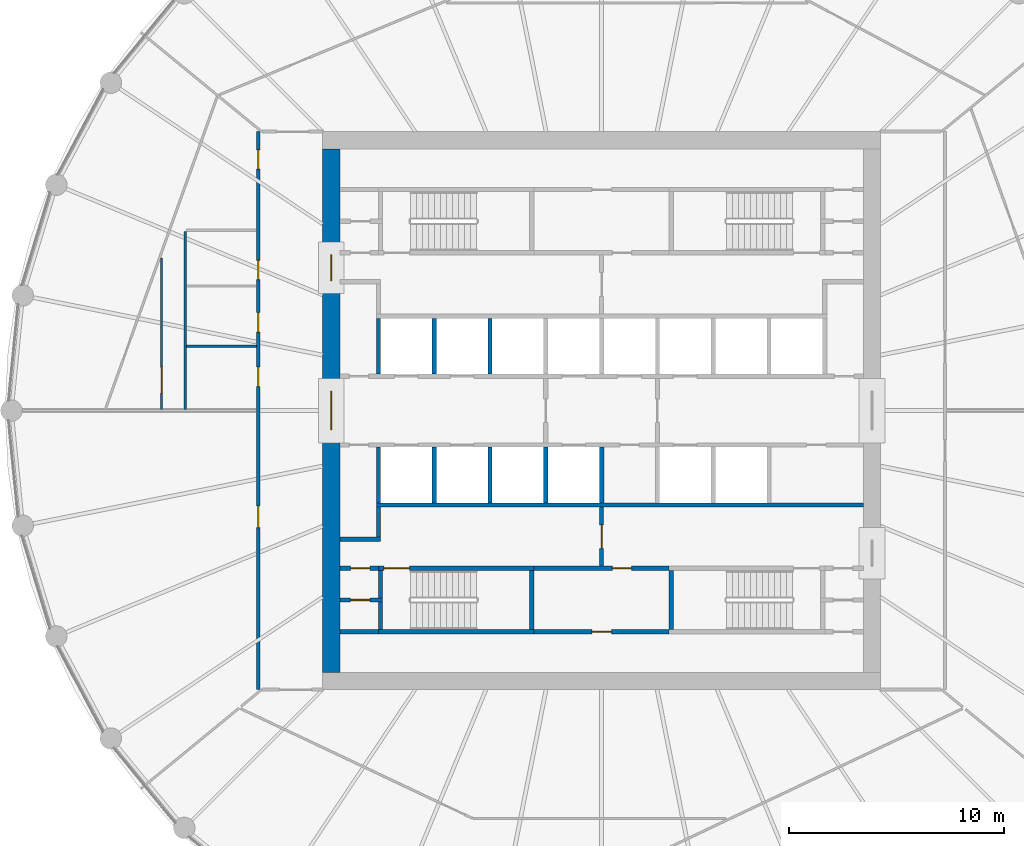
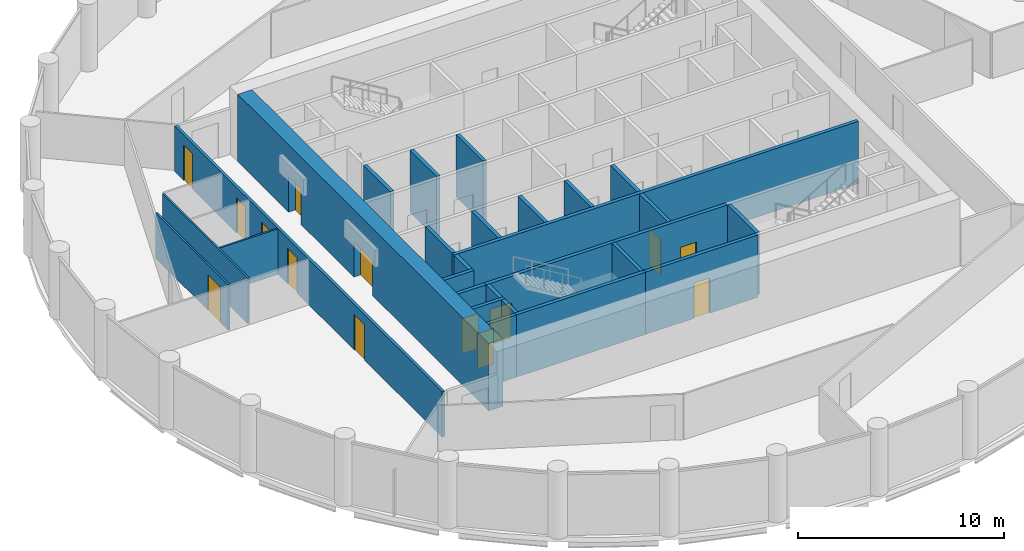
# One storey, part 4 of 8: 28 walls, 14 doors, 14 openings.
"""IFC4 building model written with IfcOpenShell, lengths in metres."""

from ifc_helpers import new_model, si_unit, direction, frame, frame_2d, origin, place, context, subcontext, project, spatial, polyline, rectangle, outline, extrude, material, layer, layer_set, type_object, element, fill, save


model = new_model("IFC4")

# Units and contexts
model_context = context("Model", 3, precision=1e-05, world=origin(), true_north=direction((0.0, 1.0)))
body_context = subcontext(model_context, "Body", "Model", "MODEL_VIEW")
ifc_project = project(units=[si_unit("LENGTHUNIT", "METRE"), si_unit("AREAUNIT", "SQUARE_METRE"), si_unit("VOLUMEUNIT", "CUBIC_METRE"), si_unit("PLANEANGLEUNIT", "RADIAN"), si_unit("MASSUNIT", "GRAM", prefix="KILO")], contexts=[model_context])

# Site, building, storey
site_placement = place(None, origin())
site = spatial("IfcSite", under=ifc_project, at=site_placement, CompositionType="ELEMENT")
building_placement = place(site_placement, origin())
building = spatial("IfcBuilding", under=site, at=building_placement, Name="Corvane Civic Tower", CompositionType="ELEMENT")
storey_placement = place(building_placement, frame((0.0, 0.0, 241.5)))
storey = spatial("IfcBuildingStorey", under=building, at=storey_placement, Name="L57", CompositionType="ELEMENT", Elevation=241.5)

# Wall, openings, doors
ifc_material_1 = material(Name="Concrete C50/60", Category="concrete")
ifc_layer_1 = layer(ifc_material_1, 0.800048828125)
ifc_layer_set_1 = layer_set([ifc_layer_1], Name="Concrete C50/60")
wall_type_1 = type_object("IfcWallType", Name="CORE WALL 800 C50/60", PredefinedType="SHEAR", material=ifc_layer_set_1)
wall_1_placement = place(storey_placement, frame((-12.60009765625, -12.199951171875, 0.0), z_axis=(0.0, 0.0, 1.0), x_axis=(0.0, 1.0, 0.0)))
wall_1 = element("IfcWall", 1, at=wall_1_placement, inside=storey, type_object=wall_type_1, Name="W-L57-core-W", PredefinedType="SHEAR", context=body_context, shape_type="SweptSolid", body=[
    extrude(rectangle(XDim=24.39990234375, YDim=0.800048828125, at=frame_2d((12.199951171875, 0.0))), origin(), (0.0, 0.0, 1.0), 4.0),
])
opening_1_placement = place(wall_1_placement, frame((11.300048828125, 0.0, 0.0)))
opening_1 = element("IfcOpeningElement", 2, at=opening_1_placement, cuts=wall_1, Name="Opening L57.C28", PredefinedType="OPENING", context=body_context, shape_type="SweptSolid", body=[
    extrude(rectangle(XDim=1.800048828125, YDim=2.10009765625, at=frame_2d((0.89990234375, 1.050048828125))), frame((0.0, 0.409912109375, 0.0), z_axis=(0.0, -1.0, 0.0), x_axis=(1.0, 0.0, 0.0)), (0.0, 0.0, 1.0), 0.820068359375),
])
opening_2_placement = place(wall_1_placement, frame((18.25, 0.0, 0.0)))
opening_2 = element("IfcOpeningElement", 3, at=opening_2_placement, cuts=wall_1, Name="Opening L57.C30", PredefinedType="OPENING", context=body_context, shape_type="SweptSolid", body=[
    extrude(rectangle(XDim=1.199951171875, YDim=2.10009765625, at=frame_2d((0.60009765625, 1.050048828125))), frame((0.0, 0.409912109375, 0.0), z_axis=(0.0, -1.0, 0.0), x_axis=(1.0, 0.0, 0.0)), (0.0, 0.0, 1.0), 0.820068359375),
])
ifc_material_2 = material(Name="Steel fire door leaf", Category="steel")
door_type_1 = type_object("IfcDoorType", Name="CR-DOOR-CORE-1800", OperationType="DOUBLE_DOOR_SINGLE_SWING", PredefinedType="DOOR", material=ifc_material_2)
door_1_placement = place(opening_1_placement, origin())
door_1 = element("IfcDoor", 4, at=door_1_placement, inside=storey, type_object=door_type_1, Name="L57 door", OperationType="DOUBLE_DOOR_SINGLE_SWING", OverallHeight=2.10009765625, OverallWidth=1.800048828125, PredefinedType="DOOR", context=body_context, shape_type="SweptSolid", body=[
    extrude(rectangle(XDim=1.800048828125, YDim=2.10009765625, at=frame_2d((0.89990234375, 1.050048828125))), frame((0.0, 0.02490234375, 0.0), z_axis=(0.0, -1.0, 0.0), x_axis=(1.0, 0.0, 0.0)), (0.0, 0.0, 1.0), 0.050048828125),
])
fill(opening_1, door_1)
door_2_placement = place(opening_2_placement, origin())
door_2 = element("IfcDoor", 5, at=door_2_placement, inside=storey, type_object=door_type_1, Name="L57 door", OperationType="DOUBLE_DOOR_SINGLE_SWING", OverallHeight=2.10009765625, OverallWidth=1.199951171875, PredefinedType="DOOR", context=body_context, shape_type="SweptSolid", body=[
    extrude(rectangle(XDim=1.199951171875, YDim=2.10009765625, at=frame_2d((0.60009765625, 1.050048828125))), frame((0.0, 0.02490234375, 0.0), z_axis=(0.0, -1.0, 0.0), x_axis=(1.0, 0.0, 0.0)), (0.0, 0.0, 1.0), 0.050048828125),
])
fill(opening_2, door_2)

# Wall, opening, door
ifc_material_3 = material(Name="Concrete C30/37", Category="concrete")
ifc_layer_2 = layer(ifc_material_3, 0.199951171875)
ifc_layer_set_2 = layer_set([ifc_layer_2], Name="Concrete C30/37")
wall_type_2 = type_object("IfcWallType", Name="CR-WALL-200", PredefinedType="PARTITIONING", material=ifc_layer_set_2)
wall_2_placement = place(storey_placement, frame((-3.14990234375, -10.300048828125, 0.0), z_axis=(0.0, 0.0, 1.0), x_axis=(1.0, 0.0, 0.0)))
wall_2 = element("IfcWall", 6, at=wall_2_placement, inside=storey, type_object=wall_type_2, Name="L57 partition wall", PredefinedType="PARTITIONING", context=body_context, shape_type="SweptSolid", body=[
    extrude(rectangle(XDim=6.2998046875, YDim=0.199951171875, at=frame_2d((3.14990234375, 0.0))), origin(), (0.0, 0.0, 1.0), 3.699951171875),
])
opening_3_placement = place(wall_2_placement, frame((2.699951171875, 0.0, 0.0)))
opening_3 = element("IfcOpeningElement", 7, at=opening_3_placement, cuts=wall_2, Name="Opening L57.C09", PredefinedType="OPENING", context=body_context, shape_type="SweptSolid", body=[
    extrude(rectangle(XDim=0.89990234375, YDim=2.10009765625, at=frame_2d((0.449951171875, 1.050048828125))), frame((0.0, 0.10986328125, 0.0), z_axis=(0.0, -1.0, 0.0), x_axis=(1.0, 0.0, 0.0)), (0.0, 0.0, 1.0), 0.219970703125),
])
ifc_material_4 = material(Name="Steel fire door leaf", Category="steel")
door_type_2 = type_object("IfcDoorType", Name="CR-DOOR-900", OperationType="SINGLE_SWING_LEFT", PredefinedType="DOOR", material=ifc_material_4)
door_3_placement = place(opening_3_placement, origin())
door_3 = element("IfcDoor", 8, at=door_3_placement, inside=storey, type_object=door_type_2, Name="L57 door", OperationType="SINGLE_SWING_LEFT", OverallHeight=2.10009765625, OverallWidth=0.89990234375, PredefinedType="DOOR", context=body_context, shape_type="SweptSolid", body=[
    extrude(rectangle(XDim=0.89990234375, YDim=2.10009765625, at=frame_2d((0.449951171875, 1.050048828125))), frame((0.0, 0.02490234375, 0.0), z_axis=(0.0, -1.0, 0.0), x_axis=(1.0, 0.0, 0.0)), (0.0, 0.0, 1.0), 0.050048828125),
])
fill(opening_3, door_3)

wall_3_placement = place(storey_placement, frame((-12.199951171875, -8.824951171875, 0.0), z_axis=(0.0, 0.0, 1.0), x_axis=(1.0, 0.0, 0.0)))
wall_3 = element("IfcWall", 9, at=wall_3_placement, inside=storey, type_object=wall_type_2, Name="L57 partition wall", PredefinedType="PARTITIONING", context=body_context, shape_type="SweptSolid", body=[
    extrude(rectangle(XDim=2.0, YDim=0.199951171875, at=frame_2d((1.0, 0.0))), origin(), (0.0, 0.0, 1.0), 3.699951171875),
])
opening_4_placement = place(wall_3_placement, frame((0.5, 0.0, 0.0)))
opening_4 = element("IfcOpeningElement", 10, at=opening_4_placement, cuts=wall_3, Name="Opening L57.C13", PredefinedType="OPENING", context=body_context, shape_type="SweptSolid", body=[
    extrude(rectangle(XDim=0.89990234375, YDim=2.10009765625, at=frame_2d((0.449951171875, 1.050048828125))), frame((0.0, 0.10986328125, 0.0), z_axis=(0.0, -1.0, 0.0), x_axis=(1.0, 0.0, 0.0)), (0.0, 0.0, 1.0), 0.219970703125),
])
door_4_placement = place(opening_4_placement, origin())
door_4 = element("IfcDoor", 11, at=door_4_placement, inside=storey, type_object=door_type_2, Name="L57 door", OperationType="SINGLE_SWING_LEFT", OverallHeight=2.10009765625, OverallWidth=0.89990234375, PredefinedType="DOOR", context=body_context, shape_type="SweptSolid", body=[
    extrude(rectangle(XDim=0.89990234375, YDim=2.10009765625, at=frame_2d((0.449951171875, 1.050048828125))), frame((0.0, 0.02490234375, 0.0), z_axis=(0.0, -1.0, 0.0), x_axis=(1.0, 0.0, 0.0)), (0.0, 0.0, 1.0), 0.050048828125),
])
fill(opening_4, door_4)

wall_4_placement = place(storey_placement, frame((-12.199951171875, -7.35009765625, 0.0), z_axis=(0.0, 0.0, 1.0), x_axis=(1.0, 0.0, 0.0)))
wall_4 = element("IfcWall", 12, at=wall_4_placement, inside=storey, type_object=wall_type_2, Name="L57 core partition wall", PredefinedType="PARTITIONING", context=body_context, shape_type="SweptSolid", body=[
    extrude(rectangle(XDim=1.800048828125, YDim=0.199951171875, at=frame_2d((0.89990234375, 0.0))), origin(), (0.0, 0.0, 1.0), 3.699951171875),
])
opening_5_placement = place(wall_4_placement, frame((0.5, 0.0, 0.0)))
opening_5 = element("IfcOpeningElement", 13, at=opening_5_placement, cuts=wall_4, Name="Opening L57.C12", PredefinedType="OPENING", context=body_context, shape_type="SweptSolid", body=[
    extrude(rectangle(XDim=0.89990234375, YDim=2.10009765625, at=frame_2d((0.449951171875, 1.050048828125))), frame((0.0, 0.10986328125, 0.0), z_axis=(0.0, -1.0, 0.0), x_axis=(1.0, 0.0, 0.0)), (0.0, 0.0, 1.0), 0.219970703125),
])
door_5_placement = place(opening_5_placement, origin())
door_5 = element("IfcDoor", 14, at=door_5_placement, inside=storey, type_object=door_type_2, Name="L57 door", OperationType="SINGLE_SWING_LEFT", OverallHeight=2.10009765625, OverallWidth=0.89990234375, PredefinedType="DOOR", context=body_context, shape_type="SweptSolid", body=[
    extrude(rectangle(XDim=0.89990234375, YDim=2.10009765625, at=frame_2d((0.449951171875, 1.050048828125))), frame((0.0, 0.02490234375, 0.0), z_axis=(0.0, -1.0, 0.0), x_axis=(1.0, 0.0, 0.0)), (0.0, 0.0, 1.0), 0.050048828125),
])
fill(opening_5, door_5)

wall_5_placement = place(storey_placement, frame((-3.14990234375, -7.35009765625, 0.0), z_axis=(0.0, 0.0, 1.0), x_axis=(1.0, 0.0, 0.0)))
wall_5 = element("IfcWall", 15, at=wall_5_placement, inside=storey, type_object=wall_type_2, Name="L57 partition wall", PredefinedType="PARTITIONING", context=body_context, shape_type="SweptSolid", body=[
    extrude(rectangle(XDim=6.2998046875, YDim=0.199951171875, at=frame_2d((3.14990234375, 0.0))), origin(), (0.0, 0.0, 1.0), 3.699951171875),
])
opening_6_placement = place(wall_5_placement, frame((3.64990234375, 0.0, 0.0)))
opening_6 = element("IfcOpeningElement", 16, at=opening_6_placement, cuts=wall_5, Name="Opening L57.C07", PredefinedType="OPENING", context=body_context, shape_type="SweptSolid", body=[
    extrude(rectangle(XDim=0.89990234375, YDim=2.10009765625, at=frame_2d((0.449951171875, 1.050048828125))), frame((0.0, 0.10986328125, 0.0), z_axis=(0.0, -1.0, 0.0), x_axis=(1.0, 0.0, 0.0)), (0.0, 0.0, 1.0), 0.219970703125),
])
door_6_placement = place(opening_6_placement, origin())
door_6 = element("IfcDoor", 17, at=door_6_placement, inside=storey, type_object=door_type_2, Name="L57 door", OperationType="SINGLE_SWING_LEFT", OverallHeight=2.10009765625, OverallWidth=0.89990234375, PredefinedType="DOOR", context=body_context, shape_type="SweptSolid", body=[
    extrude(rectangle(XDim=0.89990234375, YDim=2.10009765625, at=frame_2d((0.449951171875, 1.050048828125))), frame((0.0, 0.02490234375, 0.0), z_axis=(0.0, -1.0, 0.0), x_axis=(1.0, 0.0, 0.0)), (0.0, 0.0, 1.0), 0.050048828125),
])
fill(opening_6, door_6)

wall_6_placement = place(storey_placement, frame((0.0, -7.25, 0.0), z_axis=(0.0, 0.0, 1.0), x_axis=(0.0, 1.0, 0.0)))
wall_6 = element("IfcWall", 18, at=wall_6_placement, inside=storey, type_object=wall_type_2, Name="L57 core partition wall", PredefinedType="PARTITIONING", context=body_context, shape_type="SweptSolid", body=[
    extrude(rectangle(XDim=2.75, YDim=0.199951171875, at=frame_2d((1.375, 0.0))), origin(), (0.0, 0.0, 1.0), 3.699951171875),
])
opening_7_placement = place(wall_6_placement, frame((0.824951171875, 0.0, 0.0)))
opening_7 = element("IfcOpeningElement", 19, at=opening_7_placement, cuts=wall_6, Name="Opening L57.C27", PredefinedType="OPENING", context=body_context, shape_type="SweptSolid", body=[
    extrude(rectangle(XDim=1.10009765625, YDim=2.10009765625, at=frame_2d((0.550048828125, 1.050048828125))), frame((0.0, 0.10986328125, 0.0), z_axis=(0.0, -1.0, 0.0), x_axis=(1.0, 0.0, 0.0)), (0.0, 0.0, 1.0), 0.219970703125),
])
ifc_material_5 = material(Name="Steel fire door leaf", Category="steel")
door_type_3 = type_object("IfcDoorType", Name="CR-DOOR-FFL-1100", OperationType="SINGLE_SWING_LEFT", PredefinedType="DOOR", material=ifc_material_5)
door_7_placement = place(opening_7_placement, origin())
door_7 = element("IfcDoor", 20, at=door_7_placement, inside=storey, type_object=door_type_3, Name="L57 lobby door", OperationType="SINGLE_SWING_LEFT", OverallHeight=2.10009765625, OverallWidth=1.10009765625, PredefinedType="DOOR", context=body_context, shape_type="SweptSolid", body=[
    extrude(rectangle(XDim=1.10009765625, YDim=2.10009765625, at=frame_2d((0.550048828125, 1.050048828125))), frame((0.0, 0.02490234375, 0.0), z_axis=(0.0, -1.0, 0.0), x_axis=(1.0, 0.0, 0.0)), (0.0, 0.0, 1.0), 0.050048828125),
])
fill(opening_7, door_7)

# Walls
wall_7_placement = place(storey_placement, origin())
element("IfcWall", 21, at=wall_7_placement, inside=storey, type_object=wall_type_2, Name="L57 core partition wall", PredefinedType="PARTITIONING", context=body_context, shape_type="SweptSolid", body=[
    extrude(outline(polyline([(12.199951171875, -4.300048828125), (12.199951171875, -4.5), (-10.5, -4.5), (-10.5, -4.300048828125), (12.199951171875, -4.300048828125)])), origin(), (0.0, 0.0, 1.0), 3.699951171875),
])
wall_8_placement = place(storey_placement, origin())
element("IfcWall", 22, at=wall_8_placement, inside=storey, type_object=wall_type_2, Name="L57 core partition wall", PredefinedType="PARTITIONING", context=body_context, shape_type="SweptSolid", body=[
    extrude(outline(polyline([(-2.5, -1.699951171875), (-2.5, -4.2998046875), (-2.699951171875, -4.2998046875), (-2.699951171875, -1.699951171875), (-2.5, -1.699951171875)])), origin(), (0.0, 0.0, 1.0), 3.699951171875),
])
wall_9_placement = place(storey_placement, origin())
element("IfcWall", 23, at=wall_9_placement, inside=storey, type_object=wall_type_2, Name="L57 core partition wall", PredefinedType="PARTITIONING", context=body_context, shape_type="SweptSolid", body=[
    extrude(outline(polyline([(0.10009765625, -1.699951171875), (0.10009765625, -4.2998046875), (-0.10009765625, -4.2998046875), (-0.10009765625, -1.699951171875), (0.10009765625, -1.699951171875)])), origin(), (0.0, 0.0, 1.0), 3.699951171875),
])
wall_10_placement = place(storey_placement, origin())
element("IfcWall", 24, at=wall_10_placement, inside=storey, type_object=wall_type_2, Name="L57 core partition wall", PredefinedType="PARTITIONING", context=body_context, shape_type="SweptSolid", body=[
    extrude(outline(polyline([(-10.300048828125, -1.699951171875), (-10.300048828125, -4.2998046875), (-10.5, -4.2998046875), (-10.5, -1.699951171875), (-10.300048828125, -1.699951171875)])), origin(), (0.0, 0.0, 1.0), 3.699951171875),
])
wall_11_placement = place(storey_placement, origin())
element("IfcWall", 25, at=wall_11_placement, inside=storey, type_object=wall_type_2, Name="L57 core partition wall", PredefinedType="PARTITIONING", context=body_context, shape_type="SweptSolid", body=[
    extrude(outline(polyline([(-7.699951171875, -1.699951171875), (-7.699951171875, -4.2998046875), (-7.89990234375, -4.2998046875), (-7.89990234375, -1.699951171875), (-7.699951171875, -1.699951171875)])), origin(), (0.0, 0.0, 1.0), 3.699951171875),
])
wall_12_placement = place(storey_placement, origin())
element("IfcWall", 26, at=wall_12_placement, inside=storey, type_object=wall_type_2, Name="L57 core partition wall", PredefinedType="PARTITIONING", context=body_context, shape_type="SweptSolid", body=[
    extrude(outline(polyline([(-5.10009765625, -1.699951171875), (-5.10009765625, -4.2998046875), (-5.300048828125, -4.2998046875), (-5.300048828125, -1.699951171875), (-5.10009765625, -1.699951171875)])), origin(), (0.0, 0.0, 1.0), 3.699951171875),
])
wall_13_placement = place(storey_placement, origin())
element("IfcWall", 27, at=wall_13_placement, inside=storey, type_object=wall_type_2, Name="L57 core partition wall", PredefinedType="PARTITIONING", context=body_context, shape_type="SweptSolid", body=[
    extrude(outline(polyline([(-10.300048828125, -6.10009765625), (-12.199951171875, -6.10009765625), (-12.199951171875, -5.89990234375), (-10.300048828125, -5.89990234375), (-10.300048828125, -6.10009765625)])), origin(), (0.0, 0.0, 1.0), 3.699951171875),
])
wall_14_placement = place(storey_placement, origin())
element("IfcWall", 28, at=wall_14_placement, inside=storey, type_object=wall_type_2, Name="L57 core partition wall", PredefinedType="PARTITIONING", context=body_context, shape_type="SweptSolid", body=[
    extrude(outline(polyline([(-10.300048828125, -5.89990234375), (-10.5, -5.89990234375), (-10.5, -4.5), (-10.300048828125, -4.5), (-10.300048828125, -5.89990234375)])), origin(), (0.0, 0.0, 1.0), 3.699951171875),
])
wall_15_placement = place(storey_placement, origin())
element("IfcWall", 29, at=wall_15_placement, inside=storey, type_object=wall_type_2, Name="L57 core partition wall", PredefinedType="PARTITIONING", context=body_context, shape_type="SweptSolid", body=[
    extrude(outline(polyline([(-10.300048828125, 1.699951171875), (-10.5, 1.699951171875), (-10.5, 4.2998046875), (-10.300048828125, 4.2998046875), (-10.300048828125, 1.699951171875)])), origin(), (0.0, 0.0, 1.0), 3.699951171875),
])
wall_16_placement = place(storey_placement, origin())
element("IfcWall", 30, at=wall_16_placement, inside=storey, type_object=wall_type_2, Name="L57 core partition wall", PredefinedType="PARTITIONING", context=body_context, shape_type="SweptSolid", body=[
    extrude(outline(polyline([(-7.699951171875, 1.699951171875), (-7.89990234375, 1.699951171875), (-7.89990234375, 4.2998046875), (-7.699951171875, 4.2998046875), (-7.699951171875, 1.699951171875)])), origin(), (0.0, 0.0, 1.0), 3.699951171875),
])
wall_17_placement = place(storey_placement, origin())
element("IfcWall", 31, at=wall_17_placement, inside=storey, type_object=wall_type_2, Name="L57 core partition wall", PredefinedType="PARTITIONING", context=body_context, shape_type="SweptSolid", body=[
    extrude(outline(polyline([(-5.10009765625, 1.699951171875), (-5.300048828125, 1.699951171875), (-5.300048828125, 4.2998046875), (-5.10009765625, 4.2998046875), (-5.10009765625, 1.699951171875)])), origin(), (0.0, 0.0, 1.0), 3.699951171875),
])
wall_18_placement = place(storey_placement, origin())
element("IfcWall", 32, at=wall_18_placement, inside=storey, type_object=wall_type_2, Name="L57 core partition wall", PredefinedType="PARTITIONING", context=body_context, shape_type="SweptSolid", body=[
    extrude(outline(polyline([(-10.39990234375, -10.39990234375), (-12.199951171875, -10.39990234375), (-12.199951171875, -10.199951171875), (-10.39990234375, -10.199951171875), (-10.39990234375, -10.39990234375)])), origin(), (0.0, 0.0, 1.0), 3.699951171875),
])

# Wall, opening, door
ifc_material_6 = material(Name="Plasterboard")
ifc_layer_3 = layer(ifc_material_6, 0.10009765625)
ifc_layer_set_3 = layer_set([ifc_layer_3], Name="Plasterboard")
wall_type_3 = type_object("IfcWallType", Name="Partition 100 plasterboard on studs", PredefinedType="PARTITIONING", material=ifc_layer_set_3)
wall_19_placement = place(storey_placement, frame((-20.5, 0.050048828125, 0.0), z_axis=(0.0, 0.0, 1.0), x_axis=(0.0, 1.0, 0.0)))
wall_19 = element("IfcWall", 33, at=wall_19_placement, inside=storey, type_object=wall_type_3, Name="Partition L57.017", PredefinedType="PARTITIONING", context=body_context, shape_type="SweptSolid", body=[
    extrude(rectangle(XDim=7.05322265625, YDim=0.10009765625, at=frame_2d((3.526611328125, 0.0))), origin(), (0.0, 0.0, 1.0), 2.699951171875),
])
opening_8_placement = place(wall_19_placement, frame((0.767578125, 0.0, 0.0)))
opening_8 = element("IfcOpeningElement", 34, at=opening_8_placement, cuts=wall_19, Name="Opening L57.013", PredefinedType="OPENING", context=body_context, shape_type="SweptSolid", body=[
    extrude(rectangle(XDim=1.199951171875, YDim=2.10009765625, at=frame_2d((0.60009765625, 1.050048828125))), frame((0.0, 0.06005859375, 0.0), z_axis=(0.0, -1.0, 0.0), x_axis=(1.0, 0.0, 0.0)), (0.0, 0.0, 1.0), 0.1201171875),
])
ifc_material_7 = material(Name="Timber", Category="wood")
door_type_4 = type_object("IfcDoorType", Name="Double door 1200", OperationType="NOTDEFINED", PredefinedType="DOOR", material=ifc_material_7)
door_8_placement = place(opening_8_placement, origin())
door_8 = element("IfcDoor", 35, at=door_8_placement, inside=storey, type_object=door_type_4, Name="Door L57.013", OperationType="DOUBLE_DOOR_SINGLE_SWING", OverallHeight=2.10009765625, OverallWidth=1.199951171875, PredefinedType="DOOR", context=body_context, shape_type="SweptSolid", body=[
    extrude(rectangle(XDim=1.199951171875, YDim=2.10009765625, at=frame_2d((0.60009765625, 1.050048828125))), frame((0.0, 0.02490234375, 0.0), z_axis=(0.0, -1.0, 0.0), x_axis=(1.0, 0.0, 0.0)), (0.0, 0.0, 1.0), 0.050048828125),
])
fill(opening_8, door_8)

# Walls
wall_20_placement = place(storey_placement, frame((-19.39990234375, 0.050048828125, 0.0), z_axis=(0.0, 0.0, 1.0), x_axis=(0.0, 1.0, 0.0)))
element("IfcWall", 36, at=wall_20_placement, inside=storey, type_object=wall_type_3, Name="Partition L57.018", PredefinedType="PARTITIONING", context=body_context, shape_type="SweptSolid", body=[
    extrude(rectangle(XDim=8.300048828125, YDim=0.10009765625, at=frame_2d((4.14990234375, 0.0))), origin(), (0.0, 0.0, 1.0), 2.699951171875),
])
wall_21_placement = place(storey_placement, frame((-19.35009765625, 3.0, 0.0), z_axis=(0.0, 0.0, 1.0), x_axis=(1.0, 0.0, 0.0)))
element("IfcWall", 37, at=wall_21_placement, inside=storey, type_object=wall_type_3, Name="Partition L57.021", PredefinedType="PARTITIONING", context=body_context, shape_type="SweptSolid", body=[
    extrude(rectangle(XDim=3.275146484375, YDim=0.10009765625, at=frame_2d((1.6376953125, 0.0))), origin(), (0.0, 0.0, 1.0), 2.699951171875),
])

# Wall, opening, door
ifc_material_8 = material(Name="Concrete C50/60", Category="concrete")
ifc_layer_4 = layer(ifc_material_8, 0.199951171875)
ifc_layer_set_4 = layer_set([ifc_layer_4], Name="Concrete C50/60")
wall_type_4 = type_object("IfcWallType", Name="ST-WALL-200", PredefinedType="SHEAR", material=ifc_layer_set_4)
wall_22_placement = place(storey_placement, frame((-10.39990234375, -7.35009765625, 0.0), z_axis=(0.0, 0.0, 1.0), x_axis=(1.0, 0.0, 0.0)))
wall_22 = element("IfcWall", 38, at=wall_22_placement, inside=storey, type_object=wall_type_4, Name="L57 stair enclosure wall", PredefinedType="SHEAR", context=body_context, shape_type="SweptSolid", body=[
    extrude(rectangle(XDim=7.25, YDim=0.199951171875, at=frame_2d((3.625, 0.0))), origin(), (0.0, 0.0, 1.0), 3.699951171875),
])
opening_9_placement = place(wall_22_placement, frame((0.25, 0.0, 0.0)))
opening_9 = element("IfcOpeningElement", 39, at=opening_9_placement, cuts=wall_22, Name="Opening L57.C23", PredefinedType="OPENING", context=body_context, shape_type="SweptSolid", body=[
    extrude(rectangle(XDim=1.199951171875, YDim=2.10009765625, at=frame_2d((0.60009765625, 1.050048828125))), frame((0.0, 0.10986328125, 0.0), z_axis=(0.0, -1.0, 0.0), x_axis=(1.0, 0.0, 0.0)), (0.0, 0.0, 1.0), 0.219970703125),
])
ifc_material_9 = material(Name="Steel fire door leaf", Category="steel")
door_type_5 = type_object("IfcDoorType", Name="ST-DOOR-1200", OperationType="SINGLE_SWING_RIGHT", PredefinedType="DOOR", material=ifc_material_9)
door_9_placement = place(opening_9_placement, origin())
door_9 = element("IfcDoor", 40, at=door_9_placement, inside=storey, type_object=door_type_5, Name="L57 stair door", OperationType="SINGLE_SWING_RIGHT", OverallHeight=2.10009765625, OverallWidth=1.199951171875, PredefinedType="DOOR", context=body_context, shape_type="SweptSolid", body=[
    extrude(rectangle(XDim=1.199951171875, YDim=2.10009765625, at=frame_2d((0.60009765625, 1.050048828125))), frame((0.0, 0.02490234375, 0.0), z_axis=(0.0, -1.0, 0.0), x_axis=(1.0, 0.0, 0.0)), (0.0, 0.0, 1.0), 0.050048828125),
])
fill(opening_9, door_9)

# Walls
wall_23_placement = place(storey_placement, origin())
element("IfcWall", 41, at=wall_23_placement, inside=storey, type_object=wall_type_4, Name="L57 stair enclosure wall", PredefinedType="SHEAR", context=body_context, shape_type="SweptSolid", body=[
    extrude(outline(polyline([(-3.14990234375, -10.199951171875), (-3.14990234375, -10.39990234375), (-10.39990234375, -10.39990234375), (-10.39990234375, -10.199951171875), (-3.14990234375, -10.199951171875)])), origin(), (0.0, 0.0, 1.0), 3.699951171875),
])
wall_24_placement = place(storey_placement, origin())
element("IfcWall", 42, at=wall_24_placement, inside=storey, type_object=wall_type_4, Name="L57 stair enclosure wall", PredefinedType="SHEAR", context=body_context, shape_type="SweptSolid", body=[
    extrude(outline(polyline([(-3.14990234375, -7.449951171875), (-3.14990234375, -10.199951171875), (-3.35009765625, -10.199951171875), (-3.35009765625, -7.449951171875), (-3.14990234375, -7.449951171875)])), origin(), (0.0, 0.0, 1.0), 3.699951171875),
])
wall_25_placement = place(storey_placement, origin())
element("IfcWall", 43, at=wall_25_placement, inside=storey, type_object=wall_type_4, Name="L57 stair enclosure wall", PredefinedType="SHEAR", context=body_context, shape_type="SweptSolid", body=[
    extrude(outline(polyline([(3.35009765625, -7.449951171875), (3.35009765625, -10.199951171875), (3.14990234375, -10.199951171875), (3.14990234375, -7.449951171875), (3.35009765625, -7.449951171875)])), origin(), (0.0, 0.0, 1.0), 3.699951171875),
])
wall_26_placement = place(storey_placement, origin())
element("IfcWall", 44, at=wall_26_placement, inside=storey, type_object=wall_type_4, Name="L57 stair enclosure wall", PredefinedType="SHEAR", context=body_context, shape_type="SweptSolid", body=[
    extrude(outline(polyline([(-10.199951171875, -7.449951171875), (-10.199951171875, -8.72509765625), (-10.39990234375, -8.72509765625), (-10.39990234375, -7.449951171875), (-10.199951171875, -7.449951171875)])), origin(), (0.0, 0.0, 1.0), 3.699951171875),
])
wall_27_placement = place(storey_placement, origin())
element("IfcWall", 45, at=wall_27_placement, inside=storey, type_object=wall_type_4, Name="L57 stair enclosure wall", PredefinedType="SHEAR", context=body_context, shape_type="SweptSolid", body=[
    extrude(outline(polyline([(-10.199951171875, -8.925048828125), (-10.199951171875, -10.199951171875), (-10.39990234375, -10.199951171875), (-10.39990234375, -8.925048828125), (-10.199951171875, -8.925048828125)])), origin(), (0.0, 0.0, 1.0), 3.699951171875),
])

# Wall, openings, doors
ifc_material_10 = material(Name="Plasterboard")
ifc_layer_5 = layer(ifc_material_10, 0.14990234375)
ifc_layer_set_5 = layer_set([ifc_layer_5], Name="Plasterboard")
wall_type_5 = type_object("IfcWallType", Name="Tenancy wall 150 EI 60", PredefinedType="PARTITIONING", material=ifc_layer_set_5)
wall_28_placement = place(storey_placement, frame((-16.0, -13.0, 0.0), z_axis=(0.0, 0.0, 1.0), x_axis=(0.0, 1.0, 0.0)))
wall_28 = element("IfcWall", 46, at=wall_28_placement, inside=storey, type_object=wall_type_5, Name="Partition L57.009", PredefinedType="PARTITIONING", context=body_context, shape_type="SweptSolid", body=[
    extrude(rectangle(XDim=26.0, YDim=0.14990234375, at=frame_2d((13.0, 0.0))), origin(), (0.0, 0.0, 1.0), 2.699951171875),
])
opening_10_placement = place(wall_28_placement, frame((7.54541015625, 0.0, 0.0)))
opening_10 = element("IfcOpeningElement", 47, at=opening_10_placement, cuts=wall_28, Name="Opening L57.011", PredefinedType="OPENING", context=body_context, shape_type="SweptSolid", body=[
    extrude(rectangle(XDim=1.0, YDim=2.10009765625, at=frame_2d((0.5, 1.050048828125))), frame((0.0, 0.0849609375, 0.0), z_axis=(0.0, -1.0, 0.0), x_axis=(1.0, 0.0, 0.0)), (0.0, 0.0, 1.0), 0.169921875),
])
opening_11_placement = place(wall_28_placement, frame((24.24658203125, 0.0, 0.0)))
opening_11 = element("IfcOpeningElement", 48, at=opening_11_placement, cuts=wall_28, Name="Opening L57.014", PredefinedType="OPENING", context=body_context, shape_type="SweptSolid", body=[
    extrude(rectangle(XDim=0.89990234375, YDim=2.10009765625, at=frame_2d((0.449951171875, 1.050048828125))), frame((0.0, 0.0849609375, 0.0), z_axis=(0.0, -1.0, 0.0), x_axis=(1.0, 0.0, 0.0)), (0.0, 0.0, 1.0), 0.169921875),
])
opening_12_placement = place(wall_28_placement, frame((14.12744140625, 0.0, 0.0)))
opening_12 = element("IfcOpeningElement", 49, at=opening_12_placement, cuts=wall_28, Name="Opening L57.015", PredefinedType="OPENING", context=body_context, shape_type="SweptSolid", body=[
    extrude(rectangle(XDim=0.89990234375, YDim=2.10009765625, at=frame_2d((0.449951171875, 1.050048828125))), frame((0.0, 0.0849609375, 0.0), z_axis=(0.0, -1.0, 0.0), x_axis=(1.0, 0.0, 0.0)), (0.0, 0.0, 1.0), 0.169921875),
])
opening_13_placement = place(wall_28_placement, frame((16.65966796875, 0.0, 0.0)))
opening_13 = element("IfcOpeningElement", 50, at=opening_13_placement, cuts=wall_28, Name="Opening L57.016", PredefinedType="OPENING", context=body_context, shape_type="SweptSolid", body=[
    extrude(rectangle(XDim=0.89990234375, YDim=2.10009765625, at=frame_2d((0.449951171875, 1.050048828125))), frame((0.0, 0.0849609375, 0.0), z_axis=(0.0, -1.0, 0.0), x_axis=(1.0, 0.0, 0.0)), (0.0, 0.0, 1.0), 0.169921875),
])
opening_14_placement = place(wall_28_placement, frame((19.10009765625, 0.0, 0.0)))
opening_14 = element("IfcOpeningElement", 51, at=opening_14_placement, cuts=wall_28, Name="Opening L57.017", PredefinedType="OPENING", context=body_context, shape_type="SweptSolid", body=[
    extrude(rectangle(XDim=0.89990234375, YDim=2.10009765625, at=frame_2d((0.449951171875, 1.050048828125))), frame((0.0, 0.0849609375, 0.0), z_axis=(0.0, -1.0, 0.0), x_axis=(1.0, 0.0, 0.0)), (0.0, 0.0, 1.0), 0.169921875),
])
ifc_material_11 = material(Name="Steel and timber", Category="steel")
door_type_6 = type_object("IfcDoorType", Name="Fire door FD30S 1000", OperationType="NOTDEFINED", PredefinedType="DOOR", material=ifc_material_11)
door_10_placement = place(opening_10_placement, origin())
door_10 = element("IfcDoor", 52, at=door_10_placement, inside=storey, type_object=door_type_6, Name="Door L57.011", OperationType="SINGLE_SWING_LEFT", OverallHeight=2.10009765625, OverallWidth=1.0, PredefinedType="DOOR", context=body_context, shape_type="SweptSolid", body=[
    extrude(rectangle(XDim=1.0, YDim=2.10009765625, at=frame_2d((0.5, 1.050048828125))), frame((0.0, 0.02490234375, 0.0), z_axis=(0.0, -1.0, 0.0), x_axis=(1.0, 0.0, 0.0)), (0.0, 0.0, 1.0), 0.050048828125),
])
fill(opening_10, door_10)
ifc_material_12 = material(Name="Steel and timber", Category="steel")
door_type_7 = type_object("IfcDoorType", Name="Fire door FD30S 900", OperationType="NOTDEFINED", PredefinedType="DOOR", material=ifc_material_12)
door_11_placement = place(opening_11_placement, origin())
door_11 = element("IfcDoor", 53, at=door_11_placement, inside=storey, type_object=door_type_7, Name="Door L57.014", OperationType="SINGLE_SWING_LEFT", OverallHeight=2.10009765625, OverallWidth=0.89990234375, PredefinedType="DOOR", context=body_context, shape_type="SweptSolid", body=[
    extrude(rectangle(XDim=0.89990234375, YDim=2.10009765625, at=frame_2d((0.449951171875, 1.050048828125))), frame((0.0, 0.02490234375, 0.0), z_axis=(0.0, -1.0, 0.0), x_axis=(1.0, 0.0, 0.0)), (0.0, 0.0, 1.0), 0.050048828125),
])
fill(opening_11, door_11)
door_12_placement = place(opening_12_placement, origin())
door_12 = element("IfcDoor", 54, at=door_12_placement, inside=storey, type_object=door_type_7, Name="Door L57.015", OperationType="SINGLE_SWING_LEFT", OverallHeight=2.10009765625, OverallWidth=0.89990234375, PredefinedType="DOOR", context=body_context, shape_type="SweptSolid", body=[
    extrude(rectangle(XDim=0.89990234375, YDim=2.10009765625, at=frame_2d((0.449951171875, 1.050048828125))), frame((0.0, 0.02490234375, 0.0), z_axis=(0.0, -1.0, 0.0), x_axis=(1.0, 0.0, 0.0)), (0.0, 0.0, 1.0), 0.050048828125),
])
fill(opening_12, door_12)
door_13_placement = place(opening_13_placement, origin())
door_13 = element("IfcDoor", 55, at=door_13_placement, inside=storey, type_object=door_type_7, Name="Door L57.016", OperationType="SINGLE_SWING_RIGHT", OverallHeight=2.10009765625, OverallWidth=0.89990234375, PredefinedType="DOOR", context=body_context, shape_type="SweptSolid", body=[
    extrude(rectangle(XDim=0.89990234375, YDim=2.10009765625, at=frame_2d((0.449951171875, 1.050048828125))), frame((0.0, 0.02490234375, 0.0), z_axis=(0.0, -1.0, 0.0), x_axis=(1.0, 0.0, 0.0)), (0.0, 0.0, 1.0), 0.050048828125),
])
fill(opening_13, door_13)
door_14_placement = place(opening_14_placement, origin())
door_14 = element("IfcDoor", 56, at=door_14_placement, inside=storey, type_object=door_type_7, Name="Door L57.017", OperationType="SINGLE_SWING_LEFT", OverallHeight=2.10009765625, OverallWidth=0.89990234375, PredefinedType="DOOR", context=body_context, shape_type="SweptSolid", body=[
    extrude(rectangle(XDim=0.89990234375, YDim=2.10009765625, at=frame_2d((0.449951171875, 1.050048828125))), frame((0.0, 0.02490234375, 0.0), z_axis=(0.0, -1.0, 0.0), x_axis=(1.0, 0.0, 0.0)), (0.0, 0.0, 1.0), 0.050048828125),
])
fill(opening_14, door_14)

save(model, "model.ifc")
